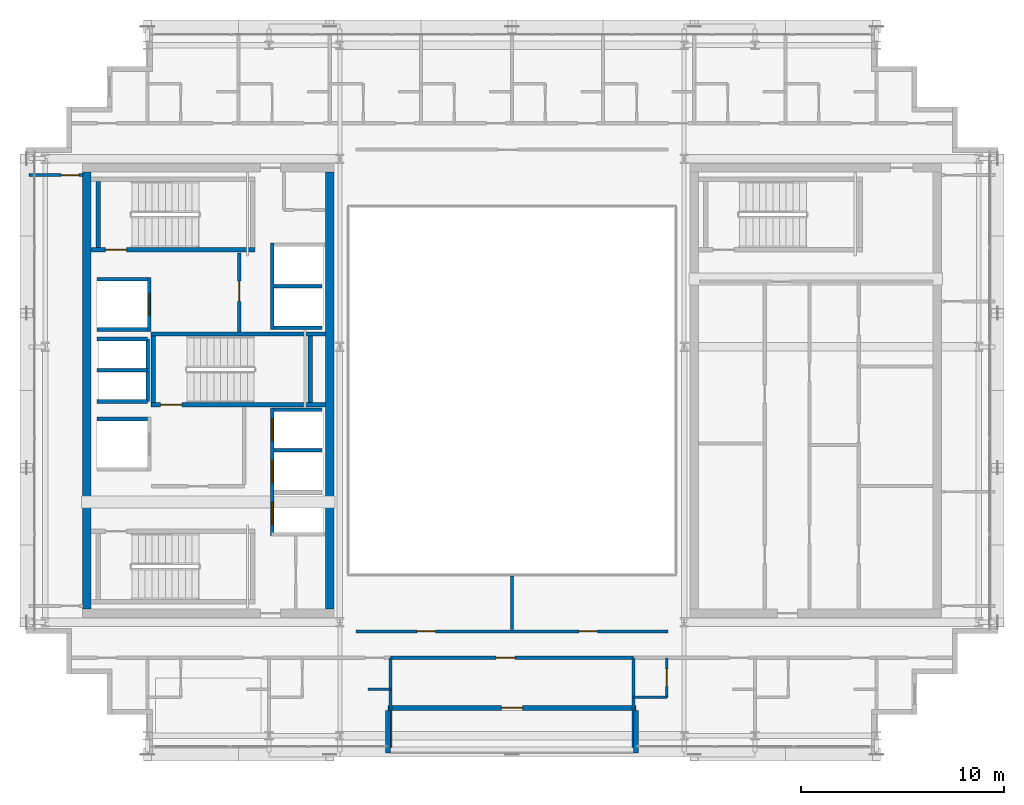
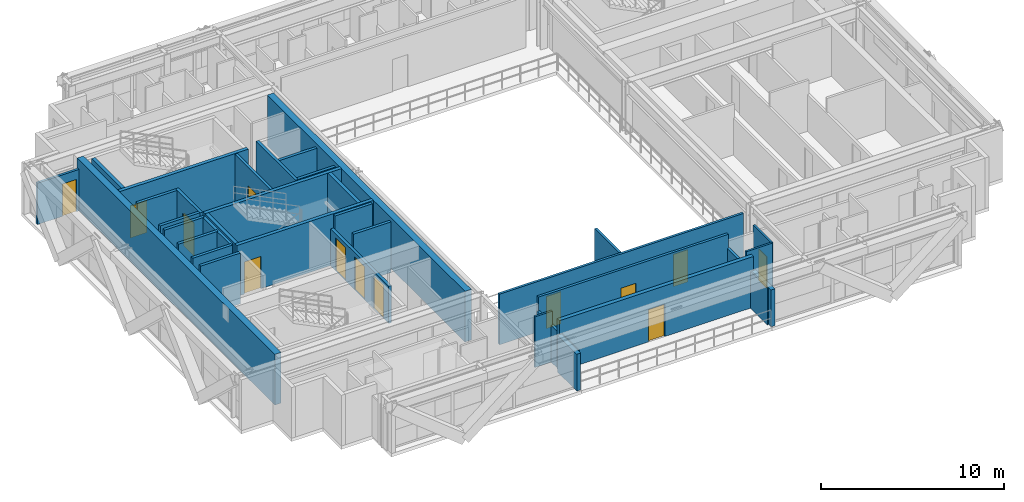
# One storey, part 20 of 28: 35 walls, 13 doors, 13 openings.
"""IFC4 building model written with IfcOpenShell, lengths in metres."""

from ifc_helpers import new_model, si_unit, direction, frame, frame_2d, origin, place, context, subcontext, project, spatial, rectangle, extrude, source, transform, mapped, material, layer, layer_set, type_object, element, fill, save


model = new_model("IFC4")

# Units and contexts
model_context = context("Model", 3, precision=1e-05, world=origin(), true_north=direction((0.0, 1.0)))
body_context = subcontext(model_context, "Body", "Model", "MODEL_VIEW")
ifc_project = project(units=[si_unit("LENGTHUNIT", "METRE"), si_unit("AREAUNIT", "SQUARE_METRE"), si_unit("VOLUMEUNIT", "CUBIC_METRE"), si_unit("PLANEANGLEUNIT", "RADIAN"), si_unit("MASSUNIT", "GRAM", prefix="KILO")], contexts=[model_context])

# Site, building, storey
site_placement = place(None, origin())
site = spatial("IfcSite", under=ifc_project, at=site_placement, CompositionType="ELEMENT")
building_placement = place(site_placement, origin())
building = spatial("IfcBuilding", under=site, at=building_placement, Name="Ocotamira Hotel", CompositionType="ELEMENT")
storey_placement = place(building_placement, frame((0.0, 0.0, 240.0)))
storey = spatial("IfcBuildingStorey", under=building, at=storey_placement, Name="L60", CompositionType="ELEMENT", Elevation=240.0)

# Walls
ifc_material_1 = material(Name="Concrete C50/60", Category="concrete")
ifc_layer_1 = layer(ifc_material_1, 0.39990234375)
ifc_layer_set_1 = layer_set([ifc_layer_1], Name="Concrete C50/60")
wall_type_1 = type_object("IfcWallType", Name="WL-CORE-400", PredefinedType="SHEAR", material=ifc_layer_set_1)
for number, where, z_axis, x_axis, name in (
    (1, (11.0, 15.199951171875, 0.0), (0.0, 0.0, 1.0), (0.0, 1.0, 0.0), "L60 Shear Core Wall WCORE-W"),
    (2, (23.0, 15.199951171875, 0.0), (0.0, 0.0, 1.0), (0.0, 1.0, 0.0), "L60 Shear Core Wall WCORE-E"),
):
    element("IfcWall", number, at=place(storey_placement, frame(where, z_axis=z_axis, x_axis=x_axis)), inside=storey, type_object=wall_type_1, Name=name, PredefinedType="SHEAR", context=body_context, shape_type="SweptSolid", body=[
        extrude(rectangle(XDim=21.60009765625, YDim=0.39990234375, at=frame_2d((10.800048828125, 0.0))), origin(), (0.0, 0.0, 1.0), 3.3798828125),
    ])

# Wall, opening, door
ifc_material_2 = material(Name="Precast concrete C45/55", Category="concrete")
ifc_layer_2 = layer(ifc_material_2, 0.25)
ifc_layer_set_2 = layer_set([ifc_layer_2], Name="Precast concrete C45/55")
wall_type_2 = type_object("IfcWallType", Name="WL-EXT-SER-250", PredefinedType="SOLIDWALL", material=ifc_layer_set_2)
wall_1_placement = place(storey_placement, frame((25.875, 10.324951171875, 0.0), z_axis=(0.0, 0.0, 1.0), x_axis=(1.0, 0.0, 0.0)))
wall_1 = element("IfcWall", 3, at=wall_1_placement, inside=storey, type_object=wall_type_2, Name="L60 Sky Terrace Back Wall 1", PredefinedType="SOLIDWALL", context=body_context, shape_type="SweptSolid", body=[
    extrude(rectangle(XDim=12.25, YDim=0.25, at=frame_2d((6.125, 0.0))), origin(), (0.0, 0.0, 1.0), 3.3798828125),
])
opening_1_placement = place(wall_1_placement, frame((5.60009765625, 0.0, 0.0)))
opening_1 = element("IfcOpeningElement", 4, at=opening_1_placement, cuts=wall_1, Name="Opening ED-3", PredefinedType="OPENING", context=body_context, shape_type="SweptSolid", body=[
    extrude(rectangle(XDim=1.050048828125, YDim=2.14990234375, at=frame_2d((0.52490234375, 1.074951171875))), frame((0.0, 0.135009765625, 0.0), z_axis=(0.0, -1.0, 0.0), x_axis=(1.0, 0.0, 0.0)), (0.0, 0.0, 1.0), 0.27001953125),
])
ifc_material_3 = material(Name="Thermally broken aluminium glazed door", Category="aluminium")
door_type_1 = type_object("IfcDoorType", Name="DR-TERR-1050", OperationType="NOTDEFINED", PredefinedType="DOOR", material=ifc_material_3)
shared_shape_1 = source(origin(), body_context, "Body", "SweptSolid", [
    extrude(rectangle(XDim=1.050048828125, YDim=2.14990234375, at=frame_2d((0.52490234375, 1.074951171875))), frame((0.0, 0.02490234375, 0.0), z_axis=(0.0, -1.0, 0.0), x_axis=(1.0, 0.0, 0.0)), (0.0, 0.0, 1.0), 0.050048828125),
])
door_1_placement = place(opening_1_placement, origin())
door_1 = element("IfcDoor", 5, at=door_1_placement, inside=storey, type_object=door_type_1, Name="L60 Sky Terrace Access Door 1 [ED-BAL-L60-1]", OperationType="SINGLE_SWING_RIGHT", OverallHeight=2.14990234375, OverallWidth=1.050048828125, PredefinedType="DOOR", context=body_context, shape_type="MappedRepresentation", body=[
    mapped(shared_shape_1, transform((0.0, 0.0, 0.0), scale=1.0)),
])
fill(opening_1, door_1)

# Walls
for number, where, z_axis, x_axis, name in (
    (6, (25.875, 8.10009765625, 0.0), (0.0, 0.0, 1.0), (0.0, 1.0, 0.0), "L60 Sky Terrace Return Wall 1L"),
    (7, (38.125, 8.10009765625, 0.0), (0.0, 0.0, 1.0), (0.0, 1.0, 0.0), "L60 Sky Terrace Return Wall 1R"),
):
    element("IfcWall", number, at=place(storey_placement, frame(where, z_axis=z_axis, x_axis=x_axis)), inside=storey, type_object=wall_type_2, Name=name, PredefinedType="SOLIDWALL", context=body_context, shape_type="SweptSolid", body=[
        extrude(rectangle(XDim=2.099853515625, YDim=0.25, at=frame_2d((1.0498046875, 0.0))), origin(), (0.0, 0.0, 1.0), 2.452880859375),
    ])

# Wall, opening, door
ifc_material_4 = material(Name="Acoustic double-layer fire gypsum board partition", Category="gypsum")
ifc_layer_3 = layer(ifc_material_4, 0.159912109375)
ifc_layer_set_3 = layer_set([ifc_layer_3], Name="Acoustic double-layer fire gypsum board partition")
wall_type_3 = type_object("IfcWallType", Name="WL-FIRE-160", PredefinedType="PARTITIONING", material=ifc_layer_set_3)
wall_2_placement = place(storey_placement, frame((18.530029296875, 28.89990234375, 0.0), z_axis=(0.0, 0.0, 1.0), x_axis=(0.0, 1.0, 0.0)))
wall_2 = element("IfcWall", 8, at=wall_2_placement, inside=storey, type_object=wall_type_3, Name="L60 Interior Wall PW-L60-FSAE2-E", PredefinedType="PARTITIONING", context=body_context, shape_type="SweptSolid", body=[
    extrude(rectangle(XDim=3.900146484375, YDim=0.159912109375, at=frame_2d((1.9501953125, 0.0))), origin(), (0.0, 0.0, 1.0), 3.3798828125),
])
opening_2_placement = place(wall_2_placement, frame((1.5, 0.0, 0.0)))
opening_2 = element("IfcOpeningElement", 9, at=opening_2_placement, cuts=wall_2, Name="Opening D-FR2", PredefinedType="OPENING", context=body_context, shape_type="SweptSolid", body=[
    extrude(rectangle(XDim=1.0, YDim=2.14990234375, at=frame_2d((0.5, 1.074951171875))), frame((0.0, 0.08984375, 0.0), z_axis=(0.0, -1.0, 0.0), x_axis=(1.0, 0.0, 0.0)), (0.0, 0.0, 1.0), 0.179931640625),
])
ifc_material_5 = material(Name="Fire-rated acoustic timber-veneer door", Category="wood")
door_type_2 = type_object("IfcDoorType", Name="DR-FIRE-1000", OperationType="NOTDEFINED", PredefinedType="DOOR", material=ifc_material_5)
shared_shape_2 = source(origin(), body_context, "Body", "SweptSolid", [
    extrude(rectangle(XDim=1.0, YDim=2.14990234375, at=frame_2d((0.5, 1.074951171875))), frame((0.0, 0.02490234375, 0.0), z_axis=(0.0, -1.0, 0.0), x_axis=(1.0, 0.0, 0.0)), (0.0, 0.0, 1.0), 0.050048828125),
])
door_2_placement = place(opening_2_placement, origin())
door_2 = element("IfcDoor", 10, at=door_2_placement, inside=storey, type_object=door_type_2, Name="L60 Door ID-L60-FSAE2-D [ID-L60-FSAE2-D]", OperationType="SINGLE_SWING_RIGHT", OverallHeight=2.14990234375, OverallWidth=1.0, PredefinedType="DOOR", context=body_context, shape_type="MappedRepresentation", body=[
    mapped(shared_shape_2, transform((0.0, 0.0, 0.0), scale=1.0)),
])
fill(opening_2, door_2)

wall_3_placement = place(storey_placement, frame((26.0, 12.800048828125, 0.0), z_axis=(0.0, 0.0, 1.0), x_axis=(1.0, 0.0, 0.0)))
wall_3 = element("IfcWall", 11, at=wall_3_placement, inside=storey, type_object=wall_type_3, Name="L60 Interior Wall PW-L60-Z4B-TLGN", PredefinedType="PARTITIONING", context=body_context, shape_type="SweptSolid", body=[
    extrude(rectangle(XDim=12.0, YDim=0.159912109375, at=frame_2d((6.0, 0.0))), origin(), (0.0, 0.0, 1.0), 3.3798828125),
])
opening_3_placement = place(wall_3_placement, frame((5.199951171875, 0.0, 0.0)))
opening_3 = element("IfcOpeningElement", 12, at=opening_3_placement, cuts=wall_3, Name="Opening D-SV4", PredefinedType="OPENING", context=body_context, shape_type="SweptSolid", body=[
    extrude(rectangle(XDim=0.9599609375, YDim=2.14990234375, at=frame_2d((0.47998046875, 1.074951171875))), frame((0.0, 0.08984375, 0.0), z_axis=(0.0, -1.0, 0.0), x_axis=(1.0, 0.0, 0.0)), (0.0, 0.0, 1.0), 0.179931640625),
])
ifc_material_6 = material(Name="Fire-rated accessible walnut salon door", Category="wood")
door_type_3 = type_object("IfcDoorType", Name="DR-SERV-960", OperationType="NOTDEFINED", PredefinedType="DOOR", material=ifc_material_6)
shared_shape_3 = source(origin(), body_context, "Body", "SweptSolid", [
    extrude(rectangle(XDim=0.9599609375, YDim=2.14990234375, at=frame_2d((0.47998046875, 1.074951171875))), frame((0.0, 0.02490234375, 0.0), z_axis=(0.0, -1.0, 0.0), x_axis=(1.0, 0.0, 0.0)), (0.0, 0.0, 1.0), 0.050048828125),
])
door_3_placement = place(opening_3_placement, origin())
door_3 = element("IfcDoor", 13, at=door_3_placement, inside=storey, type_object=door_type_3, Name="L60 Door ID-L60-Z4B-TLGD [ID-L60-Z4B-TLGD]", OperationType="SINGLE_SWING_LEFT", OverallHeight=2.14990234375, OverallWidth=0.9599609375, PredefinedType="DOOR", context=body_context, shape_type="MappedRepresentation", body=[
    mapped(shared_shape_3, transform((0.0, 0.0, 0.0), scale=1.0)),
])
fill(opening_3, door_3)

# Wall
ifc_material_7 = material(Name="Moisture-resistant en-suite tile and gypsum partition", Category="gypsum")
ifc_layer_4 = layer(ifc_material_7, 0.1201171875)
ifc_layer_set_4 = layer_set([ifc_layer_4], Name="Moisture-resistant en-suite tile and gypsum partition")
wall_type_4 = type_object("IfcWallType", Name="WL-PART-120", PredefinedType="PARTITIONING", material=ifc_layer_set_4)
wall_4_placement = place(storey_placement, frame((24.89990234375, 11.25, 0.0), z_axis=(0.0, 0.0, 1.0), x_axis=(1.0, 0.0, 0.0)))
element("IfcWall", 14, at=wall_4_placement, inside=storey, type_object=wall_type_4, Name="L60 Interior Wall PW-L60-Z4BSW-DRN2", PredefinedType="PARTITIONING", context=body_context, shape_type="SweptSolid", body=[
    extrude(rectangle(XDim=1.10009765625, YDim=0.1201171875, at=frame_2d((0.550048828125, 0.0))), origin(), (0.0, 0.0, 1.0), 3.3798828125),
])

# Wall, opening, door
wall_5_placement = place(storey_placement, frame((39.64990234375, 10.85009765625, 0.0), z_axis=(0.0, 0.0, 1.0), x_axis=(0.0, 1.0, 0.0)))
wall_5 = element("IfcWall", 15, at=wall_5_placement, inside=storey, type_object=wall_type_4, Name="L60 Interior Wall PW-L60-Z4BSE-BAE1", PredefinedType="PARTITIONING", context=body_context, shape_type="SweptSolid", body=[
    extrude(rectangle(XDim=1.949951171875, YDim=0.1201171875, at=frame_2d((0.97509765625, 0.0))), origin(), (0.0, 0.0, 1.0), 3.3798828125),
])
opening_4_placement = place(wall_5_placement, frame((0.544921875, 0.0, 0.0)))
opening_4 = element("IfcOpeningElement", 16, at=opening_4_placement, cuts=wall_5, Name="Opening D-BA1", PredefinedType="OPENING", context=body_context, shape_type="SweptSolid", body=[
    extrude(rectangle(XDim=0.860107421875, YDim=2.10009765625, at=frame_2d((0.43017578125, 1.050048828125))), frame((0.0, 0.070068359375, 0.0), z_axis=(0.0, -1.0, 0.0), x_axis=(1.0, 0.0, 0.0)), (0.0, 0.0, 1.0), 0.14013671875),
])
ifc_material_8 = material(Name="Moisture-sealed en-suite timber door", Category="wood")
door_type_4 = type_object("IfcDoorType", Name="DR-BATH-860", OperationType="NOTDEFINED", PredefinedType="DOOR", material=ifc_material_8)
shared_shape_4 = source(origin(), body_context, "Body", "SweptSolid", [
    extrude(rectangle(XDim=0.860107421875, YDim=2.10009765625, at=frame_2d((0.43017578125, 1.050048828125))), frame((0.0, 0.02490234375, 0.0), z_axis=(0.0, -1.0, 0.0), x_axis=(1.0, 0.0, 0.0)), (0.0, 0.0, 1.0), 0.050048828125),
])
door_4_placement = place(opening_4_placement, origin())
door_4 = element("IfcDoor", 17, at=door_4_placement, inside=storey, type_object=door_type_4, Name="L60 Door ID-L60-Z4BSE-BAD1 [ID-L60-Z4BSE-BAD1]", OperationType="SINGLE_SWING_RIGHT", OverallHeight=2.10009765625, OverallWidth=0.860107421875, PredefinedType="DOOR", context=body_context, shape_type="MappedRepresentation", body=[
    mapped(shared_shape_4, transform((0.0, 0.0, 0.0), scale=1.0)),
])
fill(opening_4, door_4)

# Walls
wall_6_placement = place(storey_placement, frame((38.0, 10.85009765625, 0.0), z_axis=(0.0, 0.0, 1.0), x_axis=(1.0, 0.0, 0.0)))
element("IfcWall", 18, at=wall_6_placement, inside=storey, type_object=wall_type_4, Name="L60 Interior Wall PW-L60-Z4BSE-BAS1", PredefinedType="PARTITIONING", context=body_context, shape_type="SweptSolid", body=[
    extrude(rectangle(XDim=1.64990234375, YDim=0.1201171875, at=frame_2d((0.824951171875, 0.0))), origin(), (0.0, 0.0, 1.0), 3.3798828125),
])
ifc_material_9 = material(Name="Acoustic hospitality gypsum board partition", Category="gypsum")
ifc_layer_5 = layer(ifc_material_9, 0.14208984375)
ifc_layer_set_5 = layer_set([ifc_layer_5], Name="Acoustic hospitality gypsum board partition")
wall_type_5 = type_object("IfcWallType", Name="WL-PART-142", PredefinedType="PARTITIONING", material=ifc_layer_set_5)
wall_7_placement = place(storey_placement, frame((32.0, 14.199951171875, 0.0), z_axis=(0.0, 0.0, 1.0), x_axis=(0.0, 1.0, 0.0)))
element("IfcWall", 19, at=wall_7_placement, inside=storey, type_object=wall_type_5, Name="L60 Interior Wall PW-L60-Z4B-ATRD1", PredefinedType="PARTITIONING", context=body_context, shape_type="SweptSolid", body=[
    extrude(rectangle(XDim=2.650146484375, YDim=0.14208984375, at=frame_2d((1.3251953125, 0.0))), origin(), (0.0, 0.0, 1.0), 3.3798828125),
])

# Wall, openings, doors
ifc_layer_6 = layer(ifc_material_9, 0.14990234375)
ifc_layer_set_6 = layer_set([ifc_layer_6], Name="Acoustic hospitality gypsum board partition")
wall_type_6 = type_object("IfcWallType", Name="WL-PART-150", PredefinedType="PARTITIONING", material=ifc_layer_set_6)
wall_8_placement = place(storey_placement, frame((24.300048828125, 14.10009765625, 0.0), z_axis=(0.0, 0.0, 1.0), x_axis=(1.0, 0.0, 0.0)))
wall_8 = element("IfcWall", 20, at=wall_8_placement, inside=storey, type_object=wall_type_6, Name="L60 Interior Wall PW-L60-Z4B-ATRSN", PredefinedType="PARTITIONING", context=body_context, shape_type="SweptSolid", body=[
    extrude(rectangle(XDim=15.39990234375, YDim=0.14990234375, at=frame_2d((7.699951171875, 0.0))), origin(), (0.0, 0.0, 1.0), 3.3798828125),
])
opening_5_placement = place(wall_8_placement, frame((3.0, 0.0, 0.0)))
opening_5 = element("IfcOpeningElement", 21, at=opening_5_placement, cuts=wall_8, Name="Opening D-SV3", PredefinedType="OPENING", context=body_context, shape_type="SweptSolid", body=[
    extrude(rectangle(XDim=0.919921875, YDim=2.14990234375, at=frame_2d((0.4599609375, 1.074951171875))), frame((0.0, 0.0849609375, 0.0), z_axis=(0.0, -1.0, 0.0), x_axis=(1.0, 0.0, 0.0)), (0.0, 0.0, 1.0), 0.169921875),
])
opening_6_placement = place(wall_8_placement, frame((11.0, 0.0, 0.0)))
opening_6 = element("IfcOpeningElement", 22, at=opening_6_placement, cuts=wall_8, Name="Opening D-SV3", PredefinedType="OPENING", context=body_context, shape_type="SweptSolid", body=[
    extrude(rectangle(XDim=0.919921875, YDim=2.14990234375, at=frame_2d((0.4599609375, 1.074951171875))), frame((0.0, 0.0849609375, 0.0), z_axis=(0.0, -1.0, 0.0), x_axis=(1.0, 0.0, 0.0)), (0.0, 0.0, 1.0), 0.169921875),
])
ifc_material_10 = material(Name="Fire-rated walnut hospitality door", Category="wood")
door_type_5 = type_object("IfcDoorType", Name="DR-SERV-920", OperationType="NOTDEFINED", PredefinedType="DOOR", material=ifc_material_10)
shared_shape_5 = source(origin(), body_context, "Body", "SweptSolid", [
    extrude(rectangle(XDim=0.919921875, YDim=2.14990234375, at=frame_2d((0.4599609375, 1.074951171875))), frame((0.0, 0.02490234375, 0.0), z_axis=(0.0, -1.0, 0.0), x_axis=(1.0, 0.0, 0.0)), (0.0, 0.0, 1.0), 0.050048828125),
])
door_5_placement = place(opening_5_placement, origin())
door_5 = element("IfcDoor", 23, at=door_5_placement, inside=storey, type_object=door_type_5, Name="L60 Door ID-L60-Z4B-AD1 [ID-L60-Z4B-AD1]", OperationType="SINGLE_SWING_LEFT", OverallHeight=2.14990234375, OverallWidth=0.919921875, PredefinedType="DOOR", context=body_context, shape_type="MappedRepresentation", body=[
    mapped(shared_shape_5, transform((0.0, 0.0, 0.0), scale=1.0)),
])
fill(opening_5, door_5)
door_6_placement = place(opening_6_placement, origin())
door_6 = element("IfcDoor", 24, at=door_6_placement, inside=storey, type_object=door_type_5, Name="L60 Door ID-L60-Z4B-AD2 [ID-L60-Z4B-AD2]", OperationType="SINGLE_SWING_RIGHT", OverallHeight=2.14990234375, OverallWidth=0.919921875, PredefinedType="DOOR", context=body_context, shape_type="MappedRepresentation", body=[
    mapped(shared_shape_5, transform((0.0, 0.0, 0.0), scale=1.0)),
])
fill(opening_6, door_6)

# Wall, opening, door
wall_9_placement = place(storey_placement, frame((8.159912109375, 36.639892578125, 0.0), z_axis=(0.0, 0.0, 1.0), x_axis=(1.0, 0.0, 0.0)))
wall_9 = element("IfcWall", 25, at=wall_9_placement, inside=storey, type_object=wall_type_6, Name="L60 Interior Wall PW-L60-Z4BW-WN", PredefinedType="PARTITIONING", context=body_context, shape_type="SweptSolid", body=[
    extrude(rectangle(XDim=2.66015625, YDim=0.14990234375, at=frame_2d((1.330078125, 0.0))), origin(), (0.0, 0.0, 1.0), 2.762939453125),
])
opening_7_placement = place(wall_9_placement, frame((1.580078125, 0.0, 0.0)))
opening_7 = element("IfcOpeningElement", 26, at=opening_7_placement, cuts=wall_9, Name="Opening D-SV2", PredefinedType="OPENING", context=body_context, shape_type="SweptSolid", body=[
    extrude(rectangle(XDim=0.8798828125, YDim=2.14990234375, at=frame_2d((0.43994140625, 1.074951171875))), frame((0.0, 0.0849609375, 0.0), z_axis=(0.0, -1.0, 0.0), x_axis=(1.0, 0.0, 0.0)), (0.0, 0.0, 1.0), 0.169921875),
])
ifc_material_11 = material(Name="Fire-rated painted steel service door", Category="steel")
door_type_6 = type_object("IfcDoorType", Name="DR-SERV-880", OperationType="NOTDEFINED", PredefinedType="DOOR", material=ifc_material_11)
shared_shape_6 = source(origin(), body_context, "Body", "SweptSolid", [
    extrude(rectangle(XDim=0.8798828125, YDim=2.14990234375, at=frame_2d((0.43994140625, 1.074951171875))), frame((0.0, 0.02490234375, 0.0), z_axis=(0.0, -1.0, 0.0), x_axis=(1.0, 0.0, 0.0)), (0.0, 0.0, 1.0), 0.050048828125),
])
door_7_placement = place(opening_7_placement, origin())
door_7 = element("IfcDoor", 27, at=door_7_placement, inside=storey, type_object=door_type_6, Name="L60 Door ID-L60-Z4BW-DN [ID-L60-Z4BW-DN]", OperationType="SINGLE_SWING_RIGHT", OverallHeight=2.14990234375, OverallWidth=0.8798828125, PredefinedType="DOOR", context=body_context, shape_type="MappedRepresentation", body=[
    mapped(shared_shape_6, transform((0.0, 0.0, 0.0), scale=1.0)),
])
fill(opening_7, door_7)

# Walls
ifc_material_12 = material(Name="Acoustic double-stud hospitality gypsum partition", Category="gypsum")
ifc_layer_7 = layer(ifc_material_12, 0.159912109375)
ifc_layer_set_7 = layer_set([ifc_layer_7], Name="Acoustic double-stud hospitality gypsum partition")
wall_type_7 = type_object("IfcWallType", Name="WL-PART-160", PredefinedType="PARTITIONING", material=ifc_layer_set_7)
for number, where, z_axis, x_axis, name in (
    (28, (26.0, 8.360107421875, 0.0), (0.0, 0.0, 1.0), (0.0, 1.0, 0.0), "L60 Interior Wall PW-L60-Z4BSW-PWEND"),
    (29, (38.0, 8.360107421875, 0.0), (0.0, 0.0, 1.0), (0.0, 1.0, 0.0), "L60 Interior Wall PW-L60-Z4BSE-PW0"),
):
    element("IfcWall", number, at=place(storey_placement, frame(where, z_axis=z_axis, x_axis=x_axis)), inside=storey, type_object=wall_type_7, Name=name, PredefinedType="PARTITIONING", context=body_context, shape_type="SweptSolid", body=[
        extrude(rectangle(XDim=4.43994140625, YDim=0.159912109375, at=frame_2d((2.219970703125, 0.0))), origin(), (0.0, 0.0, 1.0), 2.452880859375),
    ])

# Wall, openings, doors
ifc_material_13 = material(Name="Fire-rated gypsum shaftliner board assembly", Category="gypsum")
ifc_layer_8 = layer(ifc_material_13, 0.179931640625)
ifc_layer_set_8 = layer_set([ifc_layer_8], Name="Fire-rated gypsum shaftliner board assembly")
wall_type_8 = type_object("IfcWallType", Name="WL-SHAFT-180", PredefinedType="SOLIDWALL", material=ifc_layer_set_8)
wall_10_placement = place(storey_placement, frame((20.159912109375, 18.820068359375, 0.0), z_axis=(0.0, 0.0, 1.0), x_axis=(0.0, 1.0, 0.0)))
wall_10 = element("IfcWall", 30, at=wall_10_placement, inside=storey, type_object=wall_type_8, Name="L60 Interior Wall PW-L60-LFW-BANK-high-F", PredefinedType="SOLIDWALL", context=body_context, shape_type="SweptSolid", body=[
    extrude(rectangle(XDim=6.31982421875, YDim=0.179931640625, at=frame_2d((3.159912109375, 0.0))), origin(), (0.0, 0.0, 1.0), 2.47998046875),
])
opening_8_placement = place(wall_10_placement, frame((0.554931640625, 0.0, 0.0)))
opening_8 = element("IfcOpeningElement", 31, at=opening_8_placement, cuts=wall_10, Name="Opening LD-LF-P7", PredefinedType="OPENING", context=body_context, shape_type="SweptSolid", body=[
    extrude(rectangle(XDim=1.10009765625, YDim=2.199951171875, at=frame_2d((0.550048828125, 1.10009765625))), frame((0.0, 0.10009765625, 0.0), z_axis=(0.0, -1.0, 0.0), x_axis=(1.0, 0.0, 0.0)), (0.0, 0.0, 1.0), 0.199951171875),
])
opening_9_placement = place(wall_10_placement, frame((2.635009765625, 0.0, 0.0)))
opening_9 = element("IfcOpeningElement", 32, at=opening_9_placement, cuts=wall_10, Name="Opening LD-LF-P8", PredefinedType="OPENING", context=body_context, shape_type="SweptSolid", body=[
    extrude(rectangle(XDim=1.10009765625, YDim=2.199951171875, at=frame_2d((0.550048828125, 1.10009765625))), frame((0.0, 0.10009765625, 0.0), z_axis=(0.0, -1.0, 0.0), x_axis=(1.0, 0.0, 0.0)), (0.0, 0.0, 1.0), 0.199951171875),
])
opening_10_placement = place(wall_10_placement, frame((4.68994140625, 0.0, 0.0)))
opening_10 = element("IfcOpeningElement", 33, at=opening_10_placement, cuts=wall_10, Name="Opening LD-LF-P9", PredefinedType="OPENING", context=body_context, shape_type="SweptSolid", body=[
    extrude(rectangle(XDim=1.10009765625, YDim=2.199951171875, at=frame_2d((0.550048828125, 1.10009765625))), frame((0.0, 0.10009765625, 0.0), z_axis=(0.0, -1.0, 0.0), x_axis=(1.0, 0.0, 0.0)), (0.0, 0.0, 1.0), 0.199951171875),
])
ifc_material_14 = material(Name="Brushed pale-metal stainless elevator landing door", Category="steel")
door_type_7 = type_object("IfcDoorType", Name="DR-LIFT-1100", OperationType="NOTDEFINED", PredefinedType="DOOR", material=ifc_material_14)
shared_shape_7 = source(origin(), body_context, "Body", "SweptSolid", [
    extrude(rectangle(XDim=1.10009765625, YDim=2.199951171875, at=frame_2d((0.550048828125, 1.10009765625))), frame((0.0, 0.02490234375, 0.0), z_axis=(0.0, -1.0, 0.0), x_axis=(1.0, 0.0, 0.0)), (0.0, 0.0, 1.0), 0.050048828125),
])
door_8_placement = place(opening_8_placement, origin())
door_8 = element("IfcDoor", 34, at=door_8_placement, inside=storey, type_object=door_type_7, Name="L60 Landing Door LD-LF-P7 [ID-L60-LD-LF-P7]", OperationType="DOUBLE_DOOR_SLIDING", OverallHeight=2.199951171875, OverallWidth=1.10009765625, PredefinedType="DOOR", context=body_context, shape_type="MappedRepresentation", body=[
    mapped(shared_shape_7, transform((0.0, 0.0, 0.0), scale=1.0)),
])
fill(opening_8, door_8)
door_9_placement = place(opening_9_placement, origin())
door_9 = element("IfcDoor", 35, at=door_9_placement, inside=storey, type_object=door_type_7, Name="L60 Landing Door LD-LF-P8 [ID-L60-LD-LF-P8]", OperationType="DOUBLE_DOOR_SLIDING", OverallHeight=2.199951171875, OverallWidth=1.10009765625, PredefinedType="DOOR", context=body_context, shape_type="MappedRepresentation", body=[
    mapped(shared_shape_7, transform((0.0, 0.0, 0.0), scale=1.0)),
])
fill(opening_9, door_9)
door_10_placement = place(opening_10_placement, origin())
door_10 = element("IfcDoor", 36, at=door_10_placement, inside=storey, type_object=door_type_7, Name="L60 Landing Door LD-LF-P9 [ID-L60-LD-LF-P9]", OperationType="DOUBLE_DOOR_SLIDING", OverallHeight=2.199951171875, OverallWidth=1.10009765625, PredefinedType="DOOR", context=body_context, shape_type="MappedRepresentation", body=[
    mapped(shared_shape_7, transform((0.0, 0.0, 0.0), scale=1.0)),
])
fill(opening_10, door_10)

# Walls
for number, where, z_axis, x_axis, name in (
    (37, (20.25, 25.050048828125, 0.0), (0.0, 0.0, 1.0), (1.0, 0.0, 0.0), "L60 Interior Wall PW-L60-LFW-BANK-high-N"),
    (38, (20.25, 23.044921875, 0.0), (0.0, 0.0, 1.0), (1.0, 0.0, 0.0), "L60 Interior Wall PW-L60-LFW-DIV-LF-P8"),
):
    element("IfcWall", number, at=place(storey_placement, frame(where, z_axis=z_axis, x_axis=x_axis)), inside=storey, type_object=wall_type_8, Name=name, PredefinedType="SOLIDWALL", context=body_context, shape_type="SweptSolid", body=[
        extrude(rectangle(XDim=2.360107421875, YDim=0.179931640625, at=frame_2d((1.18017578125, 0.0))), origin(), (0.0, 0.0, 1.0), 3.3798828125),
    ])
wall_11_placement = place(storey_placement, frame((20.159912109375, 29.0, 0.0), z_axis=(0.0, 0.0, 1.0), x_axis=(0.0, 1.0, 0.0)))
element("IfcWall", 39, at=wall_11_placement, inside=storey, type_object=wall_type_8, Name="L60 Interior Wall PW-L60-LFW-BANK-obs-F", PredefinedType="SOLIDWALL", context=body_context, shape_type="SweptSolid", body=[
    extrude(rectangle(XDim=4.2900390625, YDim=0.179931640625, at=frame_2d((2.14501953125, 0.0))), origin(), (0.0, 0.0, 1.0), 3.3798828125),
])
for number, where, z_axis, x_axis, name in (
    (40, (20.25, 29.090087890625, 0.0), (0.0, 0.0, 1.0), (1.0, 0.0, 0.0), "L60 Interior Wall PW-L60-LFW-BANK-obs-S"),
    (41, (20.25, 31.14501953125, 0.0), (0.0, 0.0, 1.0), (1.0, 0.0, 0.0), "L60 Interior Wall PW-L60-LFW-DIV-LF-OBS1"),
):
    element("IfcWall", number, at=place(storey_placement, frame(where, z_axis=z_axis, x_axis=x_axis)), inside=storey, type_object=wall_type_8, Name=name, PredefinedType="SOLIDWALL", context=body_context, shape_type="SweptSolid", body=[
        extrude(rectangle(XDim=2.360107421875, YDim=0.179931640625, at=frame_2d((1.18017578125, 0.0))), origin(), (0.0, 0.0, 1.0), 3.3798828125),
    ])
for number, where, z_axis, x_axis, name in (
    (42, (11.5, 24.590087890625, 0.0), (0.0, 0.0, 1.0), (1.0, 0.0, 0.0), "L60 Interior Wall PW-L60-LFW-LF-FSAE1-N"),
    (43, (11.5, 29.010009765625, 0.0), (0.0, 0.0, 1.0), (1.0, 0.0, 0.0), "L60 Interior Wall PW-L60-LFW-LF-FSAE2-S"),
    (44, (11.5, 31.489990234375, 0.0), (0.0, 0.0, 1.0), (1.0, 0.0, 0.0), "L60 Interior Wall PW-L60-LFW-LF-FSAE2-N"),
):
    element("IfcWall", number, at=place(storey_placement, frame(where, z_axis=z_axis, x_axis=x_axis)), inside=storey, type_object=wall_type_8, Name=name, PredefinedType="SOLIDWALL", context=body_context, shape_type="SweptSolid", body=[
        extrude(rectangle(XDim=2.5, YDim=0.179931640625, at=frame_2d((1.25, 0.0))), origin(), (0.0, 0.0, 1.0), 3.3798828125),
    ])

# Wall, opening, door
wall_12_placement = place(storey_placement, frame((14.090087890625, 28.919921875, 0.0), z_axis=(0.0, 0.0, 1.0), x_axis=(0.0, 1.0, 0.0)))
wall_12 = element("IfcWall", 45, at=wall_12_placement, inside=storey, type_object=wall_type_8, Name="L60 Interior Wall PW-L60-LFW-LF-FSAE2-E", PredefinedType="SOLIDWALL", context=body_context, shape_type="SweptSolid", body=[
    extrude(rectangle(XDim=2.66015625, YDim=0.179931640625, at=frame_2d((1.330078125, 0.0))), origin(), (0.0, 0.0, 1.0), 3.3798828125),
])
opening_11_placement = place(wall_12_placement, frame((0.780029296875, 0.0, 0.0)))
opening_11 = element("IfcOpeningElement", 46, at=opening_11_placement, cuts=wall_12, Name="Opening LD-LF-FSAE2", PredefinedType="OPENING", context=body_context, shape_type="SweptSolid", body=[
    extrude(rectangle(XDim=1.10009765625, YDim=2.199951171875, at=frame_2d((0.550048828125, 1.10009765625))), frame((0.0, 0.10009765625, 0.0), z_axis=(0.0, -1.0, 0.0), x_axis=(1.0, 0.0, 0.0)), (0.0, 0.0, 1.0), 0.199951171875),
])
door_11_placement = place(opening_11_placement, origin())
door_11 = element("IfcDoor", 47, at=door_11_placement, inside=storey, type_object=door_type_7, Name="L60 Landing Door LD-LF-FSAE2 [ID-L60-LD-LF-FSAE2]", OperationType="DOUBLE_DOOR_SLIDING", OverallHeight=2.199951171875, OverallWidth=1.10009765625, PredefinedType="DOOR", context=body_context, shape_type="MappedRepresentation", body=[
    mapped(shared_shape_7, transform((0.0, 0.0, 0.0), scale=1.0)),
])
fill(opening_11, door_11)

# Walls
for number, where, z_axis, x_axis, name in (
    (48, (11.5, 25.4599609375, 0.0), (0.0, 0.0, 1.0), (1.0, 0.0, 0.0), "L60 Interior Wall PW-L60-RSW-S"),
    (49, (11.5, 27.0, 0.0), (0.0, 0.0, 1.0), (1.0, 0.0, 0.0), "L60 Interior Wall PW-L60-RSW-MID"),
    (50, (11.5, 28.5400390625, 0.0), (0.0, 0.0, 1.0), (1.0, 0.0, 0.0), "L60 Interior Wall PW-L60-RSW-N"),
):
    element("IfcWall", number, at=place(storey_placement, frame(where, z_axis=z_axis, x_axis=x_axis)), inside=storey, type_object=wall_type_8, Name=name, PredefinedType="SOLIDWALL", context=body_context, shape_type="SweptSolid", body=[
        extrude(rectangle(XDim=2.510009765625, YDim=0.179931640625, at=frame_2d((1.2548828125, 0.0))), origin(), (0.0, 0.0, 1.0), 3.3798828125),
    ])
wall_13_placement = place(storey_placement, frame((14.010009765625, 25.4599609375, 0.0), z_axis=(0.0, 0.0, 1.0), x_axis=(0.0, 1.0, 0.0)))
element("IfcWall", 51, at=wall_13_placement, inside=storey, type_object=wall_type_8, Name="L60 Interior Wall PW-L60-RSW-E", PredefinedType="SOLIDWALL", context=body_context, shape_type="SweptSolid", body=[
    extrude(rectangle(XDim=3.080078125, YDim=0.179931640625, at=frame_2d((1.5400390625, 0.0))), origin(), (0.0, 0.0, 1.0), 3.3798828125),
])

# Wall, opening, door
ifc_layer_9 = layer(ifc_material_1, 0.219970703125)
ifc_layer_set_9 = layer_set([ifc_layer_9], Name="Concrete C50/60")
wall_type_9 = type_object("IfcWallType", Name="WL-STAIR-220", PredefinedType="SHEAR", material=ifc_layer_set_9)
wall_14_placement = place(storey_placement, frame((11.199951171875, 32.93994140625, 0.0), z_axis=(0.0, 0.0, 1.0), x_axis=(1.0, 0.0, 0.0)))
wall_14 = element("IfcWall", 52, at=wall_14_placement, inside=storey, type_object=wall_type_9, Name="L60 Stair Shaft Structural Wall ST-2-S", PredefinedType="SHEAR", context=body_context, shape_type="SweptSolid", body=[
    extrude(rectangle(XDim=8.110107421875, YDim=0.219970703125, at=frame_2d((4.05517578125, 0.0))), origin(), (0.0, 0.0, 1.0), 3.39990234375),
])
opening_12_placement = place(wall_14_placement, frame((0.719970703125, 0.0, 0.0)))
opening_12 = element("IfcOpeningElement", 53, at=opening_12_placement, cuts=wall_14, Name="Opening D-ST2", PredefinedType="OPENING", context=body_context, shape_type="SweptSolid", body=[
    extrude(rectangle(XDim=1.050048828125, YDim=2.14990234375, at=frame_2d((0.52490234375, 1.074951171875))), frame((0.0, 0.1201171875, 0.0), z_axis=(0.0, -1.0, 0.0), x_axis=(1.0, 0.0, 0.0)), (0.0, 0.0, 1.0), 0.239990234375),
])
ifc_material_15 = material(Name="Insulated painted hollow-metal fire exit door", Category="steel")
door_type_8 = type_object("IfcDoorType", Name="DR-STAIR-1050", OperationType="NOTDEFINED", PredefinedType="DOOR", material=ifc_material_15)
door_12_placement = place(opening_12_placement, origin())
door_12 = element("IfcDoor", 54, at=door_12_placement, inside=storey, type_object=door_type_8, Name="L60 Door ID-L60-STD-ST-2 [ID-L60-STD-ST-2]", OperationType="SINGLE_SWING_RIGHT", OverallHeight=2.14990234375, OverallWidth=1.050048828125, PredefinedType="DOOR", context=body_context, shape_type="MappedRepresentation", body=[
    mapped(shared_shape_1, transform((0.0, 0.0, 0.0), scale=1.0)),
])
fill(opening_12, door_12)

# Wall
wall_15_placement = place(storey_placement, frame((11.56005859375, 33.050048828125, 0.0), z_axis=(0.0, 0.0, 1.0), x_axis=(0.0, 1.0, 0.0)))
element("IfcWall", 55, at=wall_15_placement, inside=storey, type_object=wall_type_9, Name="L60 Stair Shaft Structural Wall ST-2-W", PredefinedType="SHEAR", context=body_context, shape_type="SweptSolid", body=[
    extrude(rectangle(XDim=3.280029296875, YDim=0.219970703125, at=frame_2d((1.64013671875, 0.0))), origin(), (0.0, 0.0, 1.0), 3.39990234375),
])

# Wall, opening, door
wall_16_placement = place(storey_placement, frame((14.179931640625, 25.2900390625, 0.0), z_axis=(0.0, 0.0, 1.0), x_axis=(1.0, 0.0, 0.0)))
wall_16 = element("IfcWall", 56, at=wall_16_placement, inside=storey, type_object=wall_type_9, Name="L60 Stair Shaft Structural Wall ST-3-S", PredefinedType="SHEAR", context=body_context, shape_type="SweptSolid", body=[
    extrude(rectangle(XDim=8.6201171875, YDim=0.219970703125, at=frame_2d((4.31005859375, 0.0))), origin(), (0.0, 0.0, 1.0), 3.39990234375),
])
opening_13_placement = place(wall_16_placement, frame((0.469970703125, 0.0, 0.0)))
opening_13 = element("IfcOpeningElement", 57, at=opening_13_placement, cuts=wall_16, Name="Opening D-ST2", PredefinedType="OPENING", context=body_context, shape_type="SweptSolid", body=[
    extrude(rectangle(XDim=1.050048828125, YDim=2.14990234375, at=frame_2d((0.52490234375, 1.074951171875))), frame((0.0, 0.1201171875, 0.0), z_axis=(0.0, -1.0, 0.0), x_axis=(1.0, 0.0, 0.0)), (0.0, 0.0, 1.0), 0.239990234375),
])
door_13_placement = place(opening_13_placement, origin())
door_13 = element("IfcDoor", 58, at=door_13_placement, inside=storey, type_object=door_type_8, Name="L60 Door ID-L60-STD-ST-3 [ID-L60-STD-ST-3]", OperationType="SINGLE_SWING_LEFT", OverallHeight=2.14990234375, OverallWidth=1.050048828125, PredefinedType="DOOR", context=body_context, shape_type="MappedRepresentation", body=[
    mapped(shared_shape_1, transform((0.0, 0.0, 0.0), scale=1.0)),
])
fill(opening_13, door_13)

# Walls
wall_17_placement = place(storey_placement, frame((14.179931640625, 28.7900390625, 0.0), z_axis=(0.0, 0.0, 1.0), x_axis=(1.0, 0.0, 0.0)))
element("IfcWall", 59, at=wall_17_placement, inside=storey, type_object=wall_type_9, Name="L60 Stair Shaft Structural Wall ST-3-N", PredefinedType="SHEAR", context=body_context, shape_type="SweptSolid", body=[
    extrude(rectangle(XDim=8.6201171875, YDim=0.219970703125, at=frame_2d((4.31005859375, 0.0))), origin(), (0.0, 0.0, 1.0), 3.39990234375),
])
for number, where, z_axis, x_axis, name in (
    (60, (14.2900390625, 25.39990234375, 0.0), (0.0, 0.0, 1.0), (0.0, 1.0, 0.0), "L60 Stair Shaft Structural Wall ST-3-W"),
    (61, (22.030029296875, 25.39990234375, 0.0), (0.0, 0.0, 1.0), (0.0, 1.0, 0.0), "L60 Stair Shaft Structural Wall ST-3-E"),
):
    element("IfcWall", number, at=place(storey_placement, frame(where, z_axis=z_axis, x_axis=x_axis)), inside=storey, type_object=wall_type_9, Name=name, PredefinedType="SHEAR", context=body_context, shape_type="SweptSolid", body=[
        extrude(rectangle(XDim=3.280029296875, YDim=0.219970703125, at=frame_2d((1.64013671875, 0.0))), origin(), (0.0, 0.0, 1.0), 3.39990234375),
    ])

save(model, "model.ifc")
